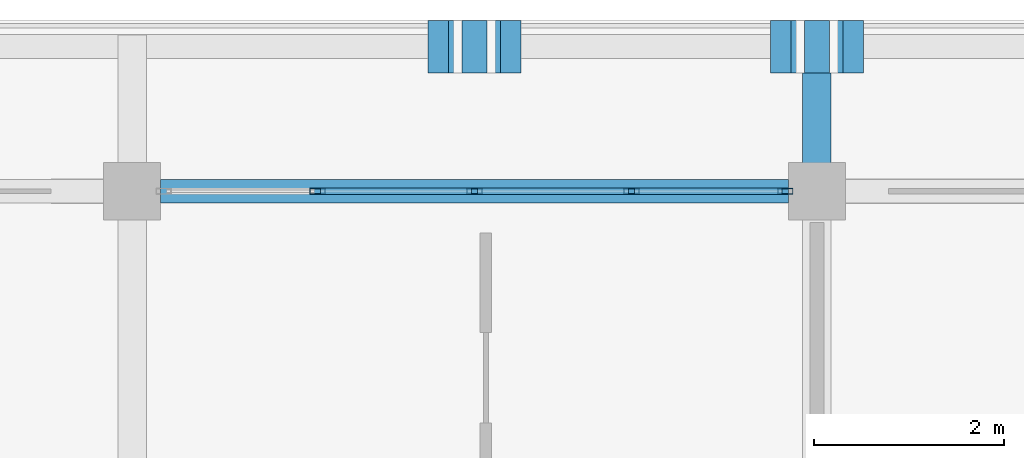
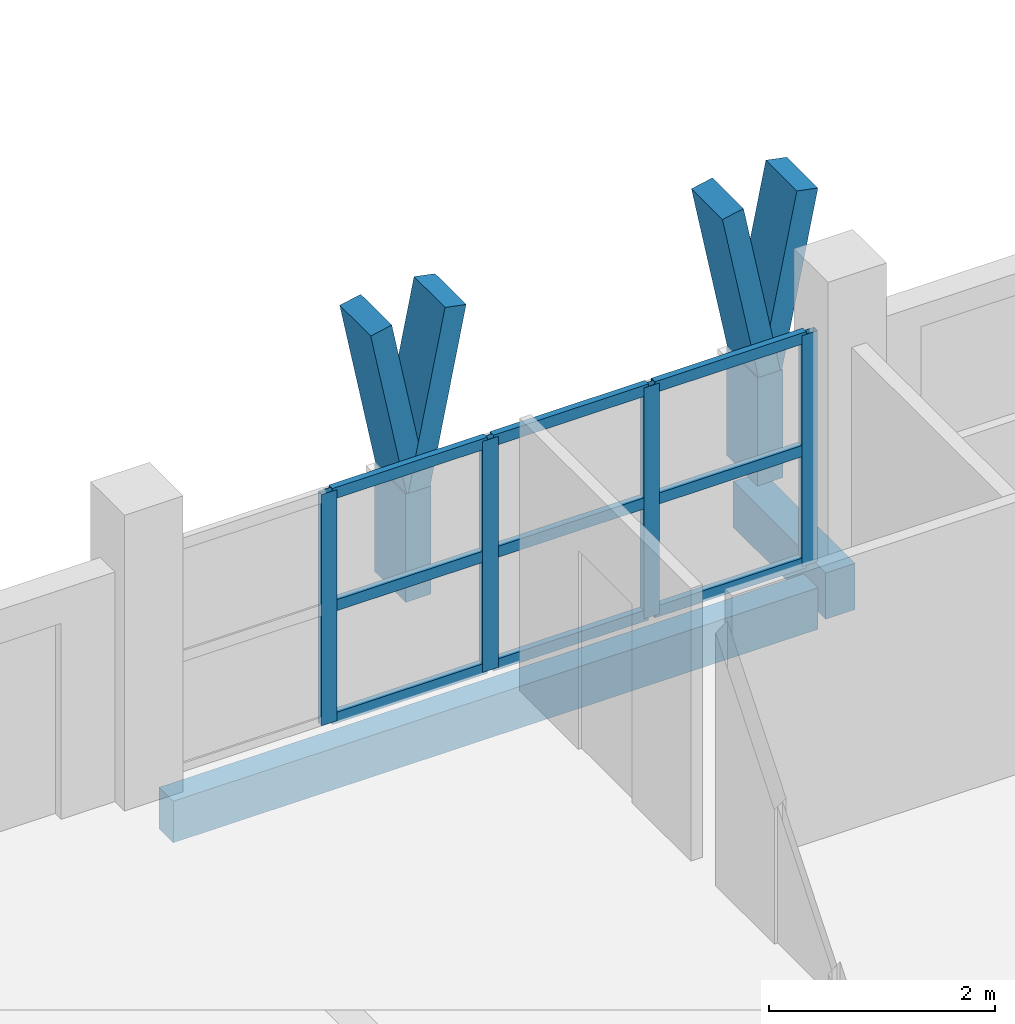
# One storey, part 11 of 65: 19 members, 2 beams, 1 element without a shape of its own.
"""IFC4 building model written with IfcOpenShell, lengths in metres."""

from ifc_helpers import new_model, si_unit, direction, frame, origin, origin_2d, place, context, subcontext, project, spatial, rectangle, hollow_rectangle, extrude, material, material_profile, profile_set, type_object, element, aggregate, save


model = new_model("IFC4")

# Units and contexts
model_context = context("Model", 3, precision=1e-05, world=origin(), true_north=direction((0.0, 1.0)))
body_context = subcontext(model_context, "Body", "Model", "MODEL_VIEW")
ifc_project = project(units=[si_unit("LENGTHUNIT", "METRE"), si_unit("AREAUNIT", "SQUARE_METRE"), si_unit("VOLUMEUNIT", "CUBIC_METRE"), si_unit("PLANEANGLEUNIT", "RADIAN"), si_unit("MASSUNIT", "GRAM", prefix="KILO")], contexts=[model_context])

# Site, building, storey
site_placement = place(None, origin())
site = spatial("IfcSite", under=ifc_project, at=site_placement, CompositionType="ELEMENT")
building_placement = place(site_placement, origin())
building = spatial("IfcBuilding", under=site, at=building_placement, Name="Suanplinth Sawtooth Commons", CompositionType="ELEMENT")
storey_placement = place(building_placement, frame((0.0, 0.0, 28.300048828125)))
storey = spatial("IfcBuildingStorey", under=building, at=storey_placement, Name="L08", CompositionType="ELEMENT", Elevation=28.300048828125)

# Beams
ifc_material_1 = material(Name="Precast concrete C40/50", Category="concrete")
ifc_material_profile_1 = material_profile(ifc_material_1, rectangle(XDim=0.300048828125, YDim=0.5, at=origin_2d()), Name="PC-BM 300x500")
ifc_profile_set_1 = profile_set([ifc_material_profile_1], Name="Precast concrete C40/50")
beam_type_1 = type_object("IfcBeamType", Name="B-07", PredefinedType="BEAM", material=ifc_profile_set_1)
beam_1_placement = place(storey_placement, frame((36.0, 122.39990234375, -0.429931640625), z_axis=(0.0, 1.0, 0.0), x_axis=(-1.0, 0.0, 0.0)))
element("IfcBeam", 1, at=beam_1_placement, inside=storey, type_object=beam_type_1, Name="Balcony Outrigger L08-A-N-5", PredefinedType="BEAM", context=body_context, shape_type="SweptSolid", body=[
    extrude(rectangle(XDim=0.300048828125, YDim=0.5, at=origin_2d()), origin(), (0.0, 0.0, 1.0), 1.64013671875),
])
ifc_material_profile_2 = material_profile(ifc_material_1, rectangle(XDim=0.25, YDim=0.449951171875, at=origin_2d()), Name="PC-SP 250x450")
ifc_profile_set_2 = profile_set([ifc_material_profile_2], Name="Precast concrete C40/50")
beam_type_2 = type_object("IfcBeamType", Name="B-09", PredefinedType="SPANDREL", material=ifc_profile_set_2)
beam_2_placement = place(storey_placement, frame((29.10009765625, 122.39990234375, -0.43505859375), z_axis=(1.0, 0.0, 0.0), x_axis=(0.0, 1.0, 0.0)))
element("IfcBeam", 2, at=beam_2_placement, inside=storey, type_object=beam_type_2, Name="BMX-L08-A-4-17", PredefinedType="SPANDREL", context=body_context, shape_type="SweptSolid", body=[
    extrude(rectangle(XDim=0.25, YDim=0.449951171875, at=origin_2d()), origin(), (0.0, 0.0, 1.0), 6.599853515625),
])

# Members
ifc_material_2 = material(Name="Pigmented precast concrete C40/50", Category="concrete")
ifc_material_profile_3 = material_profile(ifc_material_2, rectangle(XDim=0.260009765625, YDim=0.550048828125, at=origin_2d()), Name="PC-FIN 260x550")
ifc_profile_set_3 = profile_set([ifc_material_profile_3], Name="Pigmented precast concrete C40/50")
member_type_1 = type_object("IfcMemberType", Name="M-09", PredefinedType="USERDEFINED", material=ifc_profile_set_3)
for number, where, z_axis, x_axis, name in (
    (3, (32.39990234375, 123.919921875, 0.0), (0.0, 0.0, 1.0), (1.0, 0.0, 0.0), "Y-Blade Stem L08-A-N-01"),
    (4, (36.0, 123.919921875, 0.0), (0.0, 0.0, 1.0), (1.0, 0.0, 0.0), "Y-Blade Stem L08-A-N-02"),
):
    element("IfcMember", number, at=place(storey_placement, frame(where, z_axis=z_axis, x_axis=x_axis)), inside=storey, type_object=member_type_1, Name=name, ObjectType="SHADING FIN", PredefinedType="USERDEFINED", context=body_context, shape_type="SweptSolid", body=[
        extrude(rectangle(XDim=0.260009765625, YDim=0.550048828125, at=origin_2d()), origin(), (0.0, 0.0, 1.0), 1.169921875),
    ])
ifc_material_profile_4 = material_profile(ifc_material_2, rectangle(XDim=0.219970703125, YDim=0.550048828125, at=origin_2d()), Name="PC-FIN 220x550")
ifc_profile_set_4 = profile_set([ifc_material_profile_4], Name="Pigmented precast concrete C40/50")
member_type_2 = type_object("IfcMemberType", Name="M-10", PredefinedType="USERDEFINED", material=ifc_profile_set_4)
member_1_placement = place(storey_placement, frame((32.39990234375, 123.919921875, 1.1298828125), z_axis=(-0.196285728346, 0.0, 0.980546741796), x_axis=(0.980546741796, 0.0, 0.196285728346)))
element("IfcMember", 5, at=member_1_placement, inside=storey, type_object=member_type_2, Name="Y-Blade Arm L L08-A-N-01", ObjectType="SHADING FIN", PredefinedType="USERDEFINED", context=body_context, shape_type="SweptSolid", body=[
    extrude(rectangle(XDim=0.219970703125, YDim=0.550048828125, at=origin_2d()), origin(), (0.0, 0.0, 1.0), 1.937744140625),
])
for number, where, z_axis, x_axis, name in (
    (6, (32.39990234375, 123.919921875, 1.1298828125), (0.196406855569, 0.0, 0.980522486782), (-0.980522486782, 0.0, 0.196406855569), "Y-Blade Arm R L08-A-N-01"),
    (7, (36.0, 123.919921875, 1.1298828125), (-0.196406855569, 0.0, 0.980522486782), (0.980522486782, 0.0, 0.196406855569), "Y-Blade Arm L L08-A-N-02"),
    (8, (36.0, 123.919921875, 1.1298828125), (0.196406855569, 0.0, 0.980522486782), (-0.980522486782, 0.0, 0.196406855569), "Y-Blade Arm R L08-A-N-02"),
):
    element("IfcMember", number, at=place(storey_placement, frame(where, z_axis=z_axis, x_axis=x_axis)), inside=storey, type_object=member_type_2, Name=name, ObjectType="SHADING FIN", PredefinedType="USERDEFINED", context=body_context, shape_type="SweptSolid", body=[
        extrude(rectangle(XDim=0.219970703125, YDim=0.550048828125, at=origin_2d()), origin(), (0.0, 0.0, 1.0), 1.93798828125),
    ])

# Curtain wall, members
ifc_material_3 = material(Name="Anodized aluminium and low-E glazing", Category="aluminium")
curtain_wall_type = type_object("IfcCurtainWallType", Name="CW-06", PredefinedType="USERDEFINED", material=ifc_material_3)
curtain_wall_placement = place(storey_placement, origin())
curtain_wall = element("IfcCurtainWall", 9, at=curtain_wall_placement, inside=storey, type_object=curtain_wall_type, Name="Curtain Wall CW-L08-A-LOUNGE-2", ObjectType="CURTAIN WALL", PredefinedType="USERDEFINED")
ifc_material_4 = material(Name="Anodized aluminium 6063-T6", Category="aluminium")
ifc_material_profile_5 = material_profile(ifc_material_4, hollow_rectangle(XDim=0.06494140625, YDim=0.159912109375, WallThickness=0.00390625, at=origin_2d()), Name="ALU-MUL 65x160")
ifc_profile_set_5 = profile_set([ifc_material_profile_5], Name="Anodized aluminium 6063-T6")
member_type_3 = type_object("IfcMemberType", Name="M-13", PredefinedType="MULLION", material=ifc_profile_set_5)
member_2_placement = place(storey_placement, frame((30.75, 122.39990234375, 0.0), z_axis=(0.0, 0.0, 1.0), x_axis=(0.0, 1.0, 0.0)))
member_2 = element("IfcMember", 10, at=member_2_placement, type_object=member_type_3, Name="CW-06 mullion 2", PredefinedType="MULLION", context=body_context, shape_type="SweptSolid", body=[
    extrude(hollow_rectangle(XDim=0.06494140625, YDim=0.159912109375, WallThickness=0.00390625, at=origin_2d()), origin(), (0.0, 0.0, 1.0), 2.5),
])
member_3_placement = place(storey_placement, frame((32.39990234375, 122.39990234375, 0.0), z_axis=(0.0, 0.0, 1.0), x_axis=(0.0, 1.0, 0.0)))
member_3 = element("IfcMember", 11, at=member_3_placement, type_object=member_type_3, Name="CW-06 mullion 3", PredefinedType="MULLION", context=body_context, shape_type="SweptSolid", body=[
    extrude(hollow_rectangle(XDim=0.06494140625, YDim=0.159912109375, WallThickness=0.00390625, at=origin_2d()), origin(), (0.0, 0.0, 1.0), 2.5),
])
member_4_placement = place(storey_placement, frame((34.050048828125, 122.39990234375, 0.0), z_axis=(0.0, 0.0, 1.0), x_axis=(0.0, 1.0, 0.0)))
member_4 = element("IfcMember", 12, at=member_4_placement, type_object=member_type_3, Name="CW-06 mullion 4", PredefinedType="MULLION", context=body_context, shape_type="SweptSolid", body=[
    extrude(hollow_rectangle(XDim=0.06494140625, YDim=0.159912109375, WallThickness=0.00390625, at=origin_2d()), origin(), (0.0, 0.0, 1.0), 2.5),
])
member_5_placement = place(storey_placement, frame((35.66748046875, 122.39990234375, 0.0), z_axis=(0.0, 0.0, 1.0), x_axis=(0.0, 1.0, 0.0)))
member_5 = element("IfcMember", 13, at=member_5_placement, type_object=member_type_3, Name="CW-06 mullion 5", PredefinedType="MULLION", context=body_context, shape_type="SweptSolid", body=[
    extrude(hollow_rectangle(XDim=0.06494140625, YDim=0.159912109375, WallThickness=0.00390625, at=origin_2d()), origin(), (0.0, 0.0, 1.0), 2.5),
])
ifc_material_profile_6 = material_profile(ifc_material_4, hollow_rectangle(XDim=0.06494140625, YDim=0.1201171875, WallThickness=0.00390625, at=origin_2d()), Name="ALU-TRN 65x120")
ifc_profile_set_6 = profile_set([ifc_material_profile_6], Name="Anodized aluminium 6063-T6")
member_type_4 = type_object("IfcMemberType", Name="M-15", PredefinedType="USERDEFINED", material=ifc_profile_set_6)
member_6_placement = place(storey_placement, frame((30.782470703125, 122.39990234375, 0.032470703125), z_axis=(1.0, 0.0, 0.0), x_axis=(0.0, 1.0, 0.0)))
member_6 = element("IfcMember", 14, at=member_6_placement, type_object=member_type_4, Name="CW-06 transom 2.1", ObjectType="TRANSOM", PredefinedType="USERDEFINED", context=body_context, shape_type="SweptSolid", body=[
    extrude(hollow_rectangle(XDim=0.06494140625, YDim=0.1201171875, WallThickness=0.00390625, at=origin_2d()), origin(), (0.0, 0.0, 1.0), 1.5849609375),
])
member_7_placement = place(storey_placement, frame((30.782470703125, 122.39990234375, 1.25), z_axis=(1.0, 0.0, 0.0), x_axis=(0.0, 1.0, 0.0)))
member_7 = element("IfcMember", 15, at=member_7_placement, type_object=member_type_4, Name="CW-06 transom 2.2", ObjectType="TRANSOM", PredefinedType="USERDEFINED", context=body_context, shape_type="SweptSolid", body=[
    extrude(hollow_rectangle(XDim=0.06494140625, YDim=0.1201171875, WallThickness=0.00390625, at=origin_2d()), origin(), (0.0, 0.0, 1.0), 1.5849609375),
])
member_8_placement = place(storey_placement, frame((30.782470703125, 122.39990234375, 2.467529296875), z_axis=(1.0, 0.0, 0.0), x_axis=(0.0, 1.0, 0.0)))
member_8 = element("IfcMember", 16, at=member_8_placement, type_object=member_type_4, Name="CW-06 transom 2.3", ObjectType="TRANSOM", PredefinedType="USERDEFINED", context=body_context, shape_type="SweptSolid", body=[
    extrude(hollow_rectangle(XDim=0.06494140625, YDim=0.1201171875, WallThickness=0.00390625, at=origin_2d()), origin(), (0.0, 0.0, 1.0), 1.5849609375),
])
member_9_placement = place(storey_placement, frame((32.4326171875, 122.39990234375, 0.032470703125), z_axis=(1.0, 0.0, 0.0), x_axis=(0.0, 1.0, 0.0)))
member_9 = element("IfcMember", 17, at=member_9_placement, type_object=member_type_4, Name="CW-06 transom 3.1", ObjectType="TRANSOM", PredefinedType="USERDEFINED", context=body_context, shape_type="SweptSolid", body=[
    extrude(hollow_rectangle(XDim=0.06494140625, YDim=0.1201171875, WallThickness=0.00390625, at=origin_2d()), origin(), (0.0, 0.0, 1.0), 1.5849609375),
])
member_10_placement = place(storey_placement, frame((32.4326171875, 122.39990234375, 1.25), z_axis=(1.0, 0.0, 0.0), x_axis=(0.0, 1.0, 0.0)))
member_10 = element("IfcMember", 18, at=member_10_placement, type_object=member_type_4, Name="CW-06 transom 3.2", ObjectType="TRANSOM", PredefinedType="USERDEFINED", context=body_context, shape_type="SweptSolid", body=[
    extrude(hollow_rectangle(XDim=0.06494140625, YDim=0.1201171875, WallThickness=0.00390625, at=origin_2d()), origin(), (0.0, 0.0, 1.0), 1.5849609375),
])
member_11_placement = place(storey_placement, frame((32.4326171875, 122.39990234375, 2.467529296875), z_axis=(1.0, 0.0, 0.0), x_axis=(0.0, 1.0, 0.0)))
member_11 = element("IfcMember", 19, at=member_11_placement, type_object=member_type_4, Name="CW-06 transom 3.3", ObjectType="TRANSOM", PredefinedType="USERDEFINED", context=body_context, shape_type="SweptSolid", body=[
    extrude(hollow_rectangle(XDim=0.06494140625, YDim=0.1201171875, WallThickness=0.00390625, at=origin_2d()), origin(), (0.0, 0.0, 1.0), 1.5849609375),
])
member_12_placement = place(storey_placement, frame((34.08251953125, 122.39990234375, 0.032470703125), z_axis=(1.0, 0.0, 0.0), x_axis=(0.0, 1.0, 0.0)))
member_12 = element("IfcMember", 20, at=member_12_placement, type_object=member_type_4, Name="CW-06 transom 4.1", ObjectType="TRANSOM", PredefinedType="USERDEFINED", context=body_context, shape_type="SweptSolid", body=[
    extrude(hollow_rectangle(XDim=0.06494140625, YDim=0.1201171875, WallThickness=0.00390625, at=origin_2d()), origin(), (0.0, 0.0, 1.0), 1.552490234375),
])
member_13_placement = place(storey_placement, frame((34.08251953125, 122.39990234375, 1.25), z_axis=(1.0, 0.0, 0.0), x_axis=(0.0, 1.0, 0.0)))
member_13 = element("IfcMember", 21, at=member_13_placement, type_object=member_type_4, Name="CW-06 transom 4.2", ObjectType="TRANSOM", PredefinedType="USERDEFINED", context=body_context, shape_type="SweptSolid", body=[
    extrude(hollow_rectangle(XDim=0.06494140625, YDim=0.1201171875, WallThickness=0.00390625, at=origin_2d()), origin(), (0.0, 0.0, 1.0), 1.552490234375),
])
member_14_placement = place(storey_placement, frame((34.08251953125, 122.39990234375, 2.467529296875), z_axis=(1.0, 0.0, 0.0), x_axis=(0.0, 1.0, 0.0)))
member_14 = element("IfcMember", 22, at=member_14_placement, type_object=member_type_4, Name="CW-06 transom 4.3", ObjectType="TRANSOM", PredefinedType="USERDEFINED", context=body_context, shape_type="SweptSolid", body=[
    extrude(hollow_rectangle(XDim=0.06494140625, YDim=0.1201171875, WallThickness=0.00390625, at=origin_2d()), origin(), (0.0, 0.0, 1.0), 1.552490234375),
])
aggregate(curtain_wall, [member_2, member_3, member_4, member_5, member_6, member_7, member_8, member_9, member_10, member_11, member_12, member_13, member_14])

save(model, "model.ifc")
